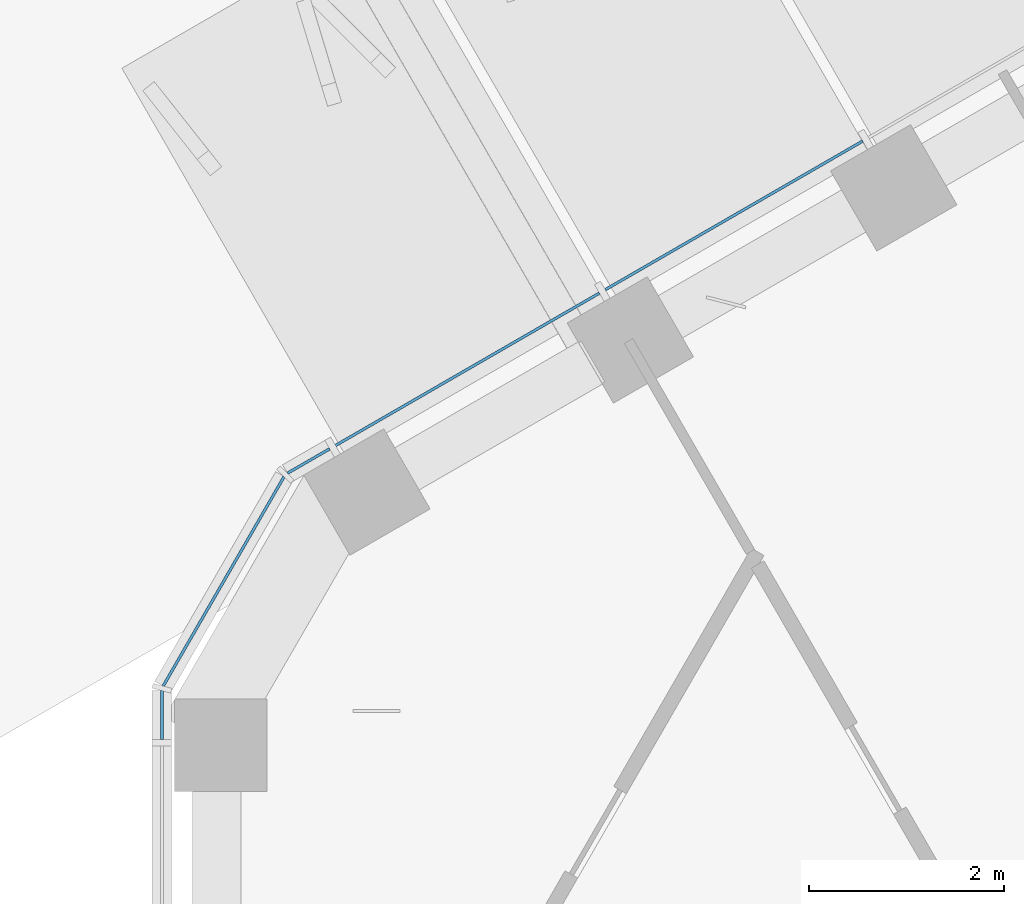
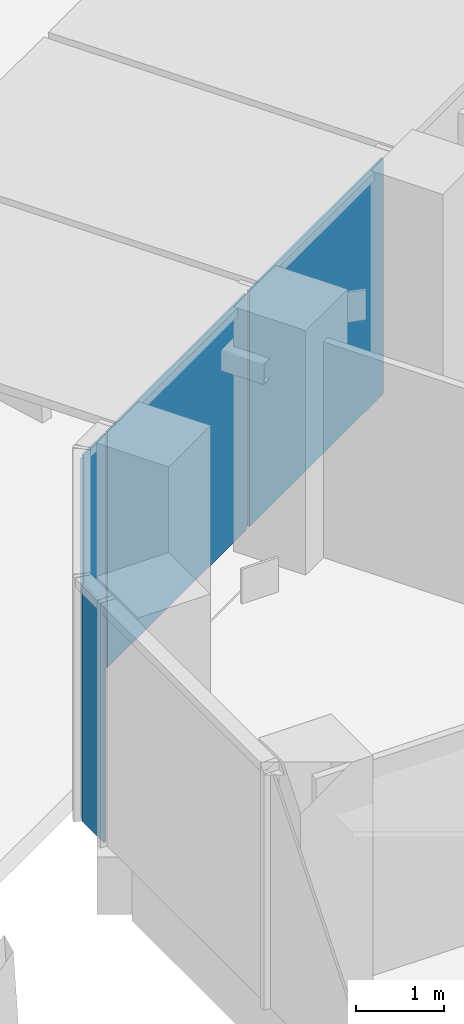
# One storey, part 10 of 23: 5 plates, 2 elements without a shape of their own.
"""IFC4 building model written with IfcOpenShell, lengths in metres."""

from ifc_helpers import new_model, si_unit, direction, frame, origin, origin_2d, place, context, subcontext, project, spatial, rectangle, extrude, material, layer, layer_set, type_object, element, aggregate, save


model = new_model("IFC4")

# Units and contexts
model_context = context("Model", 3, precision=1e-05, world=origin(), true_north=direction((0.0, 1.0)))
body_context = subcontext(model_context, "Body", "Model", "MODEL_VIEW")
ifc_project = project(units=[si_unit("LENGTHUNIT", "METRE"), si_unit("AREAUNIT", "SQUARE_METRE"), si_unit("VOLUMEUNIT", "CUBIC_METRE"), si_unit("PLANEANGLEUNIT", "RADIAN"), si_unit("MASSUNIT", "GRAM", prefix="KILO")], contexts=[model_context])

# Site, building, storey
site_placement = place(None, origin())
site = spatial("IfcSite", under=ifc_project, at=site_placement, CompositionType="ELEMENT")
building_placement = place(site_placement, origin())
building = spatial("IfcBuilding", under=site, at=building_placement, Name="Ayvan Gate Tower", CompositionType="ELEMENT")
storey_placement = place(building_placement, frame((0.0, 0.0, 198.699951171875)))
storey = spatial("IfcBuildingStorey", under=building, at=storey_placement, Name="L53", CompositionType="ELEMENT", Elevation=198.699951171875)

# Curtain wall, plates
ifc_material_1 = material(Name="Bronze anodised aluminium", Category="aluminium")
ifc_layer_1 = layer(ifc_material_1, 0.199951171875)
ifc_layer_set_1 = layer_set([ifc_layer_1], Name="Bronze anodised aluminium")
curtain_wall_type_1 = type_object("IfcCurtainWallType", Name="Stick curtain wall CW-2", PredefinedType="NOTDEFINED", material=ifc_layer_set_1)
curtain_wall_1_placement = place(storey_placement, origin())
curtain_wall_1 = element("IfcCurtainWall", 1, at=curtain_wall_1_placement, inside=storey, type_object=curtain_wall_type_1, Name="Stick curtain wall CW-2 L53", PredefinedType="NOTDEFINED")
ifc_material_2 = material(Name="Clear low-iron laminated glass", Category="glass")
ifc_layer_2 = layer(ifc_material_2, 0.028076171875)
ifc_layer_set_2 = layer_set([ifc_layer_2], Name="Clear low-iron laminated glass")
plate_type_1 = type_object("IfcPlateType", Name="Stick curtain wall CW-2 glass panel", PredefinedType="CURTAIN_PANEL", material=ifc_layer_set_2)
plate_1_placement = place(storey_placement, frame((-12.0849609375, 14.686767578125, 0.0), z_axis=(0.0, 0.0, 1.0), x_axis=(-0.866025403784, -0.5, 0.0)))
plate_1 = element("IfcPlate", 2, at=plate_1_placement, type_object=plate_type_1, Name="CW-2 glass panel 4", PredefinedType="CURTAIN_PANEL", context=body_context, shape_type="SweptSolid", body=[
    extrude(rectangle(XDim=3.052001953125, YDim=0.028076171875, at=origin_2d()), origin(), (0.0, 0.0, 1.0), 3.280029296875),
])
plate_2_placement = place(storey_placement, frame((-14.836669921875, 13.097900390625, 0.0), z_axis=(0.0, 0.0, 1.0), x_axis=(-0.866025403784, -0.5, 0.0)))
plate_2 = element("IfcPlate", 3, at=plate_2_placement, type_object=plate_type_1, Name="CW-2 glass panel 5", PredefinedType="CURTAIN_PANEL", context=body_context, shape_type="SweptSolid", body=[
    extrude(rectangle(XDim=3.1630859375, YDim=0.028076171875, at=origin_2d()), origin(), (0.0, 0.0, 1.0), 3.280029296875),
])
aggregate(curtain_wall_1, [plate_1, plate_2])

ifc_layer_3 = layer(ifc_material_1, 0.199951171875)
ifc_layer_set_3 = layer_set([ifc_layer_3], Name="Bronze anodised aluminium")
curtain_wall_type_2 = type_object("IfcCurtainWallType", Name="Stick curtain wall CW-6", PredefinedType="NOTDEFINED", material=ifc_layer_set_3)
curtain_wall_2_placement = place(storey_placement, origin())
curtain_wall_2 = element("IfcCurtainWall", 4, at=curtain_wall_2_placement, inside=storey, type_object=curtain_wall_type_2, Name="Stick curtain wall CW-6 L53", PredefinedType="NOTDEFINED")
ifc_layer_4 = layer(ifc_material_2, 0.028076171875)
ifc_layer_set_4 = layer_set([ifc_layer_4], Name="Clear low-iron laminated glass")
plate_type_2 = type_object("IfcPlateType", Name="Stick curtain wall CW-6 glass panel", PredefinedType="CURTAIN_PANEL", material=ifc_layer_set_4)
plate_3_placement = place(storey_placement, frame((-16.453125, 12.164794921875, 0.0), z_axis=(0.0, 0.0, 1.0), x_axis=(-0.866025403784, -0.5, 0.0)))
plate_3 = element("IfcPlate", 5, at=plate_3_placement, type_object=plate_type_2, Name="CW-6 glass panel 1", PredefinedType="CURTAIN_PANEL", context=body_context, shape_type="SweptSolid", body=[
    extrude(rectangle(XDim=0.5, YDim=0.028076171875, at=origin_2d()), origin(), (0.0, 0.0, 1.0), 3.280029296875),
])
plate_4_placement = place(storey_placement, frame((-17.324951171875, 10.9296875, 0.0), z_axis=(0.0, 0.0, 1.0), x_axis=(-0.5, -0.866025403784, 0.0)))
plate_4 = element("IfcPlate", 6, at=plate_4_placement, type_object=plate_type_2, Name="CW-6 glass panel 2", PredefinedType="CURTAIN_PANEL", context=body_context, shape_type="SweptSolid", body=[
    extrude(rectangle(XDim=2.484619140625, YDim=0.028076171875, at=origin_2d()), origin(), (0.0, 0.0, 1.0), 3.280029296875),
])
plate_5_placement = place(storey_placement, frame((-17.95849609375, 9.55712890625, 0.0), z_axis=(0.0, 0.0, 1.0), x_axis=(0.0, -1.0, 0.0)))
plate_5 = element("IfcPlate", 7, at=plate_5_placement, type_object=plate_type_2, Name="CW-6 glass panel 3", PredefinedType="CURTAIN_PANEL", context=body_context, shape_type="SweptSolid", body=[
    extrude(rectangle(XDim=0.5, YDim=0.028076171875, at=origin_2d()), origin(), (0.0, 0.0, 1.0), 3.280029296875),
])
aggregate(curtain_wall_2, [plate_3, plate_4, plate_5])

save(model, "model.ifc")
